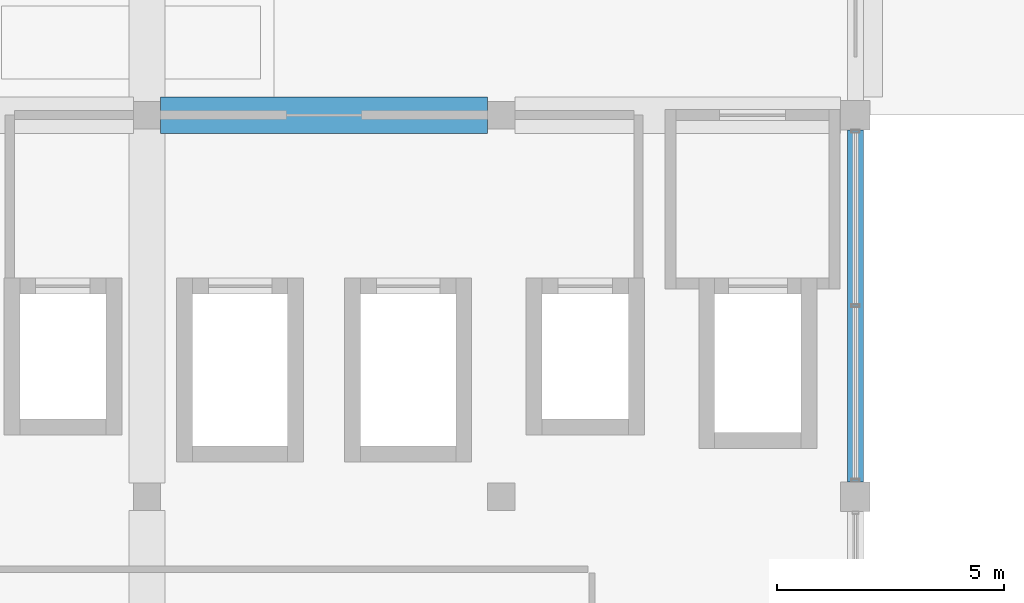
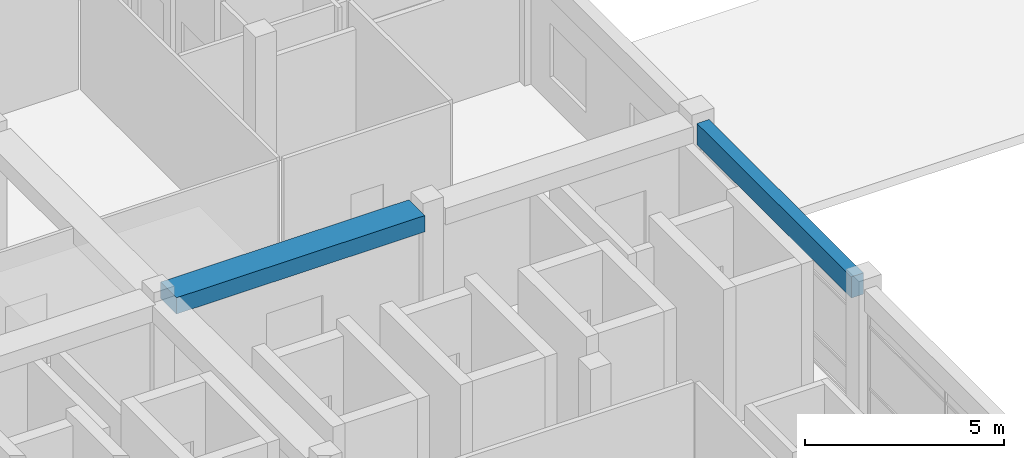
# One storey, part 5 of 32: 2 beams.
"""IFC4 building model written with IfcOpenShell, lengths in metres."""

from ifc_helpers import new_model, si_unit, direction, frame, origin, origin_2d, place, context, subcontext, project, spatial, rectangle, extrude, material, material_profile, profile_set, type_object, element, save


model = new_model("IFC4")

# Units and contexts
model_context = context("Model", 3, precision=1e-05, world=origin(), true_north=direction((0.0, 1.0)))
body_context = subcontext(model_context, "Body", "Model", "MODEL_VIEW")
ifc_project = project(units=[si_unit("LENGTHUNIT", "METRE"), si_unit("AREAUNIT", "SQUARE_METRE"), si_unit("VOLUMEUNIT", "CUBIC_METRE"), si_unit("PLANEANGLEUNIT", "RADIAN"), si_unit("MASSUNIT", "GRAM", prefix="KILO"), si_unit("THERMODYNAMICTEMPERATUREUNIT", "KELVIN"), si_unit("POWERUNIT", "WATT")], contexts=[model_context])

# Site, building, storey
site_placement = place(None, origin())
site = spatial("IfcSite", under=ifc_project, at=site_placement, CompositionType="ELEMENT")
building_placement = place(site_placement, origin())
building = spatial("IfcBuilding", under=site, at=building_placement, Name="Srebrne Nadtorze General Hospital", CompositionType="ELEMENT")
storey_placement = place(building_placement, frame((0.0, 0.0, 29.699951171875)))
storey = spatial("IfcBuildingStorey", under=building, at=storey_placement, Name="L07", CompositionType="ELEMENT", Elevation=29.699951171875)

# Beams
ifc_material_1 = material(Name="Concrete C35/45", Category="concrete")
ifc_material_profile_1 = material_profile(ifc_material_1, rectangle(XDim=0.35009765625, YDim=0.64990234375, at=origin_2d()), Name="RC-BM-350x650")
ifc_profile_set_1 = profile_set([ifc_material_profile_1], Name="Concrete C35/45")
beam_type_1 = type_object("IfcBeamType", Name="Edge beam RC 350x650", PredefinedType="BEAM", material=ifc_profile_set_1)
beam_1_placement = place(storey_placement, frame((54.60009765625, 42.324951171875, 3.574951171875), z_axis=(0.0, 1.0, 0.0), x_axis=(-1.0, 0.0, 0.0)))
element("IfcBeam", 1, at=beam_1_placement, inside=storey, type_object=beam_type_1, Name="Beam BM-L07-Y-1306", PredefinedType="BEAM", context=body_context, shape_type="SweptSolid", body=[
    extrude(rectangle(XDim=0.35009765625, YDim=0.64990234375, at=origin_2d()), origin(), (0.0, 0.0, 1.0), 7.75),
])
ifc_material_2 = material(Name="Concrete C40/50", Category="concrete")
ifc_material_profile_2 = material_profile(ifc_material_2, rectangle(XDim=0.800048828125, YDim=0.5, at=origin_2d()), Name="RC-BM-800x500")
ifc_profile_set_2 = profile_set([ifc_material_profile_2], Name="Concrete C40/50")
beam_type_2 = type_object("IfcBeamType", Name="Primary beam RC 800x500", PredefinedType="BEAM", material=ifc_profile_set_2)
beam_2_placement = place(storey_placement, frame((39.300048828125, 50.39990234375, 3.650146484375), z_axis=(1.0, 0.0, 0.0), x_axis=(0.0, 1.0, 0.0)))
element("IfcBeam", 2, at=beam_2_placement, inside=storey, type_object=beam_type_2, Name="Beam BM-L07-X-1261", PredefinedType="BEAM", context=body_context, shape_type="SweptSolid", body=[
    extrude(rectangle(XDim=0.800048828125, YDim=0.5, at=origin_2d()), origin(), (0.0, 0.0, 1.0), 7.199951171875),
])

save(model, "model.ifc")
